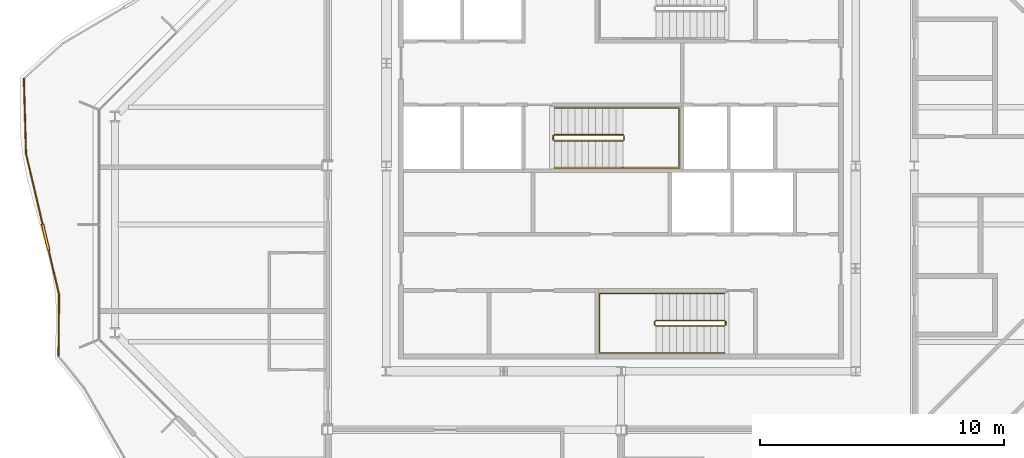
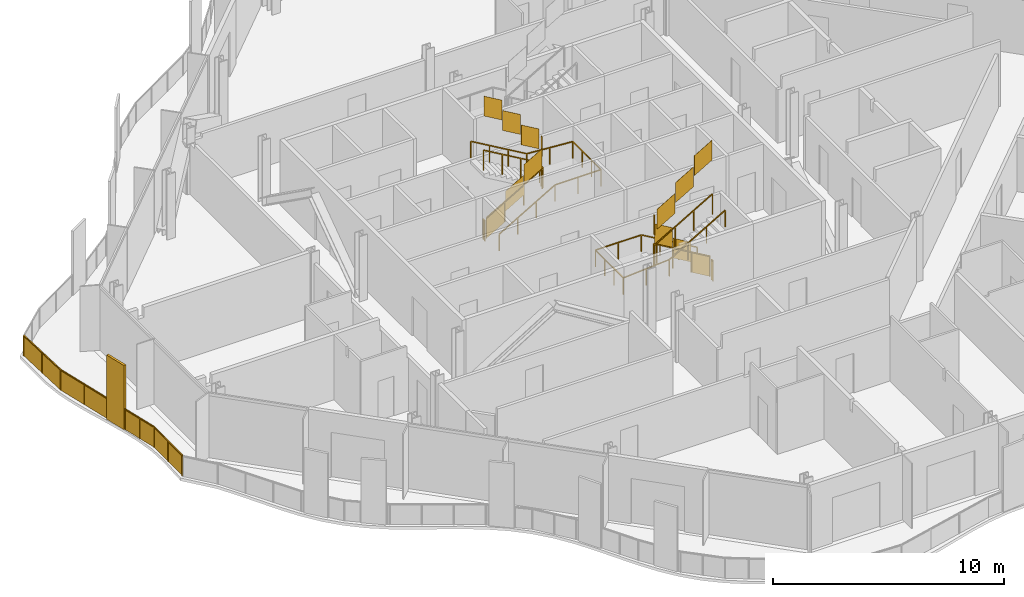
# One storey, part 14 of 17: 7 railings.
"""IFC4 building model written with IfcOpenShell, lengths in metres."""

from ifc_helpers import new_model, si_unit, direction, frame, origin, origin_2d, place, context, subcontext, project, spatial, polyline, rectangle, outline, extrude, material, type_object, element, save


model = new_model("IFC4")

# Units and contexts
model_context = context("Model", 3, precision=1e-05, world=origin(), true_north=direction((0.0, 1.0)))
body_context = subcontext(model_context, "Body", "Model", "MODEL_VIEW")
ifc_project = project(units=[si_unit("LENGTHUNIT", "METRE"), si_unit("AREAUNIT", "SQUARE_METRE"), si_unit("VOLUMEUNIT", "CUBIC_METRE"), si_unit("PLANEANGLEUNIT", "RADIAN"), si_unit("MASSUNIT", "GRAM", prefix="KILO")], contexts=[model_context])

# Site, building, storey
site_placement = place(None, origin())
site = spatial("IfcSite", under=ifc_project, at=site_placement, CompositionType="ELEMENT")
building_placement = place(site_placement, origin())
building = spatial("IfcBuilding", under=site, at=building_placement, Name="Cairn Pilgrim Tower", CompositionType="ELEMENT")
storey_placement = place(building_placement, frame((0.0, 0.0, 225.0)))
storey = spatial("IfcBuildingStorey", under=building, at=storey_placement, Name="L57", CompositionType="ELEMENT", Elevation=225.0)

# Railings
ifc_material_1 = material(Name="Bronze anodised aluminium rail, posts and fin screens with laminated glass infill", Category="aluminium")
railing_type_1 = type_object("IfcRailingType", Name="BALCONY GUARD WITH FIN SCREENS", PredefinedType="GUARDRAIL", material=ifc_material_1)
railing_1_placement = place(storey_placement, frame((-17.231201171875, 5.970703125, 0.0)))
element("IfcRailing", 1, at=railing_1_placement, inside=storey, type_object=railing_type_1, Name="Balcony guard BGF-7 with fin screens", PredefinedType="GUARDRAIL", context=body_context, shape_type="SweptSolid", body=[
    extrude(rectangle(XDim=0.050048828125, YDim=0.050048828125, at=origin_2d()), frame((0.0, 0.0, 1.0751953125), z_axis=(0.028605141821, -0.999590789204, 0.0), x_axis=(0.999590789204, 0.028605141821, 0.0)), (0.0, 0.0, 1.0), 3.072509765625),
    extrude(rectangle(XDim=1.10009765625, YDim=0.110107421875, at=origin_2d()), frame((0.88818359375, -6.484619140625, 0.0), z_axis=(0.0, 0.0, 1.0), x_axis=(0.228262189915, -0.973599698364, 0.0)), (0.0, 0.0, 1.0), 3.39990234375),
    extrude(rectangle(XDim=0.050048828125, YDim=0.050048828125, at=origin_2d()), frame((0.087890625, -3.0712890625, 1.0751953125), z_axis=(0.228262189915, -0.973599698364, 0.0), x_axis=(0.973599698364, 0.228262189915, 0.0)), (0.0, 0.0, 1.0), 2.9560546875),
    extrude(rectangle(XDim=0.050048828125, YDim=0.050048828125, at=origin_2d()), frame((1.013671875, -7.020263671875, 1.0751953125), z_axis=(0.228262189915, -0.973599698364, 0.0), x_axis=(0.973599698364, 0.228262189915, 0.0)), (0.0, 0.0, 1.0), 1.863037109375),
    extrude(rectangle(XDim=0.050048828125, YDim=0.050048828125, at=origin_2d()), frame((1.43896484375, -8.833984375, 1.0751953125), z_axis=(-0.008395595051, -0.999964756371, 0.0), x_axis=(0.999964756371, -0.008395595051, 0.0)), (0.0, 0.0, 1.0), 2.4716796875),
    extrude(rectangle(XDim=0.050048828125, YDim=0.050048828125, at=origin_2d()), origin(), (0.0, 0.0, 1.0), 1.050048828125),
    extrude(rectangle(XDim=0.050048828125, YDim=0.050048828125, at=origin_2d()), frame((0.0439453125, -1.53564453125, 0.0)), (0.0, 0.0, 1.0), 1.050048828125),
    extrude(rectangle(XDim=0.050048828125, YDim=0.050048828125, at=origin_2d()), frame((0.087890625, -3.0712890625, 0.0)), (0.0, 0.0, 1.0), 1.050048828125),
    extrude(rectangle(XDim=0.050048828125, YDim=0.050048828125, at=origin_2d()), frame((0.42236328125, -4.498046875, 0.0)), (0.0, 0.0, 1.0), 1.050048828125),
    extrude(rectangle(XDim=0.050048828125, YDim=0.050048828125, at=origin_2d()), frame((0.7568359375, -5.9248046875, 0.0)), (0.0, 0.0, 1.0), 1.050048828125),
    extrude(rectangle(XDim=0.050048828125, YDim=0.050048828125, at=origin_2d()), frame((1.01953125, -7.04443359375, 0.0)), (0.0, 0.0, 1.0), 1.050048828125),
    extrude(rectangle(XDim=0.050048828125, YDim=0.050048828125, at=origin_2d()), frame((1.229248046875, -7.939208984375, 0.0)), (0.0, 0.0, 1.0), 1.050048828125),
    extrude(rectangle(XDim=0.050048828125, YDim=0.050048828125, at=origin_2d()), frame((1.43896484375, -8.833984375, 0.0)), (0.0, 0.0, 1.0), 1.050048828125),
    extrude(rectangle(XDim=0.050048828125, YDim=0.050048828125, at=origin_2d()), frame((1.4287109375, -10.06982421875, 0.0)), (0.0, 0.0, 1.0), 1.050048828125),
    extrude(rectangle(XDim=0.050048828125, YDim=0.050048828125, at=origin_2d()), frame((1.418212890625, -11.3056640625, 0.0)), (0.0, 0.0, 1.0), 1.050048828125),
    extrude(outline(polyline([(0.02490234375, 0.0), (1.51123046875, 0.0), (1.51123046875, 1.050048828125), (0.02490234375, 1.050048828125), (0.02490234375, 0.0)])), frame((0.005859375, 0.000244140625, 0.0), z_axis=(-0.999590789204, -0.028605141821, 0.0), x_axis=(0.028605141821, -0.999590789204, 0.0)), (0.0, 0.0, 1.0), 0.011962890625),
    extrude(outline(polyline([(0.02490234375, 0.0), (1.51123046875, 0.0), (1.51123046875, 1.050048828125), (0.02490234375, 1.050048828125), (0.02490234375, 0.0)])), frame((0.0498046875, -1.535400390625, 0.0), z_axis=(-0.999590789204, -0.028605141821, 0.0), x_axis=(0.028605141821, -0.999590789204, 0.0)), (0.0, 0.0, 1.0), 0.011962890625),
    extrude(outline(polyline([(0.02490234375, 0.0), (1.4404296875, 0.0), (1.4404296875, 1.050048828125), (0.02490234375, 1.050048828125), (0.02490234375, 0.0)])), frame((0.09375, -3.06982421875, 0.0), z_axis=(-0.973599698364, -0.228262189915, 0.0), x_axis=(0.228262189915, -0.973599698364, 0.0)), (0.0, 0.0, 1.0), 0.011962890625),
    extrude(outline(polyline([(0.02490234375, 0.0), (1.4404296875, 0.0), (1.4404296875, 1.050048828125), (0.02490234375, 1.050048828125), (0.02490234375, 0.0)])), frame((0.42822265625, -4.49658203125, 0.0), z_axis=(-0.973599698364, -0.228262189915, 0.0), x_axis=(0.228262189915, -0.973599698364, 0.0)), (0.0, 0.0, 1.0), 0.011962890625),
    extrude(outline(polyline([(0.02490234375, 0.0), (0.89404296875, 0.0), (0.89404296875, 1.050048828125), (0.02490234375, 1.050048828125), (0.02490234375, 0.0)])), frame((1.025146484375, -7.043212890625, 0.0), z_axis=(-0.973599698364, -0.228262189915, 0.0), x_axis=(0.228262189915, -0.973599698364, 0.0)), (0.0, 0.0, 1.0), 0.011962890625),
    extrude(outline(polyline([(0.02490234375, 0.0), (0.89404296875, 0.0), (0.89404296875, 1.050048828125), (0.02490234375, 1.050048828125), (0.02490234375, 0.0)])), frame((1.235107421875, -7.93798828125, 0.0), z_axis=(-0.973599698364, -0.228262189915, 0.0), x_axis=(0.228262189915, -0.973599698364, 0.0)), (0.0, 0.0, 1.0), 0.011962890625),
    extrude(outline(polyline([(0.02490234375, 0.0), (1.2109375, 0.0), (1.2109375, 1.050048828125), (0.02490234375, 1.050048828125), (0.02490234375, 0.0)])), frame((1.44482421875, -8.833984375, 0.0), z_axis=(-0.999964756371, 0.008395595051, 0.0), x_axis=(-0.008395595051, -0.999964756371, 0.0)), (0.0, 0.0, 1.0), 0.011962890625),
    extrude(outline(polyline([(0.02490234375, 0.0), (1.2109375, 0.0), (1.2109375, 1.050048828125), (0.02490234375, 1.050048828125), (0.02490234375, 0.0)])), frame((1.4345703125, -10.06982421875, 0.0), z_axis=(-0.999964756371, 0.008395595051, 0.0), x_axis=(-0.008395595051, -0.999964756371, 0.0)), (0.0, 0.0, 1.0), 0.011962890625),
])
ifc_material_2 = material(Name="Painted steel", Category="steel")
railing_type_2 = type_object("IfcRailingType", Name="STAIR GUARD 1100", PredefinedType="GUARDRAIL", material=ifc_material_2)
railing_2_placement = place(storey_placement, frame((11.425048828125, -3.925048828125, 0.16357421875)))
element("IfcRailing", 2, at=railing_2_placement, inside=storey, type_object=railing_type_2, Name="L57 ST-A stair guard 1", PredefinedType="GUARDRAIL", context=body_context, shape_type="SweptSolid", body=[
    extrude(rectangle(XDim=0.048095703125, YDim=0.048095703125, at=origin_2d()), frame((0.0, 0.0, 1.076171875), z_axis=(-0.863360870873, 0.0, 0.504586966384), x_axis=(0.0, -1.0, 0.0)), (0.0, 0.0, 1.0), 3.2431640625),
    extrude(rectangle(XDim=0.048095703125, YDim=0.048095703125, at=origin_2d()), frame((-2.800048828125, 0.0, 2.71240234375), z_axis=(-0.707106781187, -0.707106781187, 0.0), x_axis=(0.707106781187, -0.707106781187, 0.0)), (0.0, 0.0, 1.0), 0.07080078125),
    extrude(rectangle(XDim=0.048095703125, YDim=0.048095703125, at=origin_2d()), frame((-2.85009765625, -0.050048828125, 2.71240234375), z_axis=(0.0, -1.0, 0.0), x_axis=(1.0, 0.0, 0.0)), (0.0, 0.0, 1.0), 0.125),
    extrude(rectangle(XDim=0.048095703125, YDim=0.048095703125, at=origin_2d()), frame((-2.85009765625, -0.175048828125, 2.71240234375), z_axis=(0.280916556609, -0.279546231943, 0.91811752648), x_axis=(0.705375805398, 0.708833529934, 0.0)), (0.0, 0.0, 1.0), 0.17822265625),
    extrude(rectangle(XDim=0.048095703125, YDim=0.048095703125, at=origin_2d()), frame((-2.800048828125, -0.224853515625, 2.8759765625), z_axis=(0.863360870873, 0.0, 0.504586966384), x_axis=(0.0, 1.0, 0.0)), (0.0, 0.0, 1.0), 3.2431640625),
    extrude(rectangle(XDim=0.0419921875, YDim=0.0419921875, at=origin_2d()), origin(), (0.0, 0.0, 1.0), 1.052001953125),
    extrude(rectangle(XDim=0.0419921875, YDim=0.0419921875, at=origin_2d()), frame((-0.933349609375, 0.0, 0.54541015625)), (0.0, 0.0, 1.0), 1.052001953125),
    extrude(rectangle(XDim=0.0419921875, YDim=0.0419921875, at=origin_2d()), frame((-1.86669921875, 0.0, 1.091064453125)), (0.0, 0.0, 1.0), 1.052001953125),
    extrude(rectangle(XDim=0.0419921875, YDim=0.0419921875, at=origin_2d()), frame((-2.800048828125, 0.0, 1.636474609375)), (0.0, 0.0, 1.0), 1.052001953125),
    extrude(rectangle(XDim=0.0419921875, YDim=0.0419921875, at=origin_2d()), frame((-2.85009765625, -0.050048828125, 1.636474609375)), (0.0, 0.0, 1.0), 1.052001953125),
    extrude(rectangle(XDim=0.0419921875, YDim=0.0419921875, at=origin_2d()), frame((-2.85009765625, -0.175048828125, 1.636474609375)), (0.0, 0.0, 1.0), 1.052001953125),
    extrude(rectangle(XDim=0.0419921875, YDim=0.0419921875, at=origin_2d()), frame((-2.800048828125, -0.224853515625, 1.800048828125)), (0.0, 0.0, 1.0), 1.052001953125),
    extrude(rectangle(XDim=0.0419921875, YDim=0.0419921875, at=origin_2d()), frame((-1.86669921875, -0.224853515625, 2.345458984375)), (0.0, 0.0, 1.0), 1.052001953125),
    extrude(rectangle(XDim=0.0419921875, YDim=0.0419921875, at=origin_2d()), frame((-0.933349609375, -0.224853515625, 2.89111328125)), (0.0, 0.0, 1.0), 1.052001953125),
    extrude(rectangle(XDim=0.0419921875, YDim=0.0419921875, at=origin_2d()), frame((0.0, -0.224853515625, 3.4365234375)), (0.0, 0.0, 1.0), 1.052001953125),
    extrude(outline(polyline([(0.02099609375, 0.01220703125), (0.912353515625, 0.533203125), (0.912353515625, 1.585205078125), (0.02099609375, 1.064208984375), (0.02099609375, 0.01220703125)])), frame((0.0, -0.005859375, 0.0), z_axis=(0.0, 1.0, 0.0), x_axis=(-1.0, 0.0, 0.0)), (0.0, 0.0, 1.0), 0.011962890625),
    extrude(outline(polyline([(0.02099609375, 0.557861328125), (0.912353515625, 1.07861328125), (0.912353515625, 2.130615234375), (0.02099609375, 1.60986328125), (0.02099609375, 0.557861328125)])), frame((-0.933349609375, -0.005859375, 0.54541015625), z_axis=(0.0, 1.0, 0.0), x_axis=(-1.0, 0.0, 0.0)), (0.0, 0.0, 1.0), 0.011962890625),
    extrude(outline(polyline([(0.02099609375, 1.103271484375), (0.912353515625, 1.624267578125), (0.912353515625, 2.67626953125), (0.02099609375, 2.1552734375), (0.02099609375, 1.103271484375)])), frame((-1.86669921875, -0.005859375, 1.091064453125), z_axis=(0.0, 1.0, 0.0), x_axis=(-1.0, 0.0, 0.0)), (0.0, 0.0, 1.0), 0.011962890625),
    extrude(outline(polyline([(0.02099609375, 1.636474609375), (0.10400390625, 1.636474609375), (0.10400390625, 2.6884765625), (0.02099609375, 2.6884765625), (0.02099609375, 1.636474609375)])), frame((-2.84423828125, -0.050048828125, 1.636474609375), z_axis=(-1.0, 0.0, 0.0), x_axis=(0.0, -1.0, 0.0)), (0.0, 0.0, 1.0), 0.011962890625),
    extrude(outline(polyline([(0.02099609375, 1.812255859375), (0.912353515625, 2.333251953125), (0.912353515625, 3.38525390625), (0.02099609375, 2.8642578125), (0.02099609375, 1.812255859375)])), frame((-2.800048828125, -0.21875, 1.800048828125), z_axis=(0.0, -1.0, 0.0), x_axis=(1.0, 0.0, 0.0)), (0.0, 0.0, 1.0), 0.011962890625),
    extrude(outline(polyline([(0.02099609375, 2.35791015625), (0.912353515625, 2.878662109375), (0.912353515625, 3.9306640625), (0.02099609375, 3.409912109375), (0.02099609375, 2.35791015625)])), frame((-1.86669921875, -0.21875, 2.345458984375), z_axis=(0.0, -1.0, 0.0), x_axis=(1.0, 0.0, 0.0)), (0.0, 0.0, 1.0), 0.011962890625),
    extrude(outline(polyline([(0.02099609375, 2.9033203125), (0.912353515625, 3.42431640625), (0.912353515625, 4.476318359375), (0.02099609375, 3.955322265625), (0.02099609375, 2.9033203125)])), frame((-0.933349609375, -0.21875, 2.89111328125), z_axis=(0.0, -1.0, 0.0), x_axis=(1.0, 0.0, 0.0)), (0.0, 0.0, 1.0), 0.011962890625),
])
railing_3_placement = place(storey_placement, frame((11.47509765625, -3.97509765625, 0.0)))
element("IfcRailing", 3, at=railing_3_placement, inside=storey, type_object=railing_type_2, Name="L57 ST-A stair guard 2", PredefinedType="GUARDRAIL", context=body_context, shape_type="SweptSolid", body=[
    extrude(rectangle(XDim=0.048095703125, YDim=0.048095703125, at=origin_2d()), frame((0.0, 0.0, 1.076171875), z_axis=(0.0, -1.0, 0.0), x_axis=(1.0, 0.0, 0.0)), (0.0, 0.0, 1.0), 0.125),
    extrude(rectangle(XDim=0.0419921875, YDim=0.0419921875, at=origin_2d()), origin(), (0.0, 0.0, 1.0), 1.052001953125),
    extrude(rectangle(XDim=0.0419921875, YDim=0.0419921875, at=origin_2d()), frame((0.0, -0.125, 0.0)), (0.0, 0.0, 1.0), 1.052001953125),
    extrude(outline(polyline([(0.02099609375, 0.0), (0.10400390625, 0.0), (0.10400390625, 1.052001953125), (0.02099609375, 1.052001953125), (0.02099609375, 0.0)])), frame((0.005859375, 0.0, 0.0), z_axis=(-1.0, 0.0, 0.0), x_axis=(0.0, -1.0, 0.0)), (0.0, 0.0, 1.0), 0.011962890625),
])
railing_4_placement = place(storey_placement, frame((4.47509765625, 3.425048828125, 0.16357421875)))
element("IfcRailing", 4, at=railing_4_placement, inside=storey, type_object=railing_type_2, Name="L57 ST-B stair guard 1", PredefinedType="GUARDRAIL", context=body_context, shape_type="SweptSolid", body=[
    extrude(rectangle(XDim=0.048095703125, YDim=0.048095703125, at=origin_2d()), frame((0.0, 0.0, 1.076171875), z_axis=(0.863341702679, 0.0, 0.504619762213), x_axis=(0.0, 1.0, 0.0)), (0.0, 0.0, 1.0), 3.242919921875),
    extrude(rectangle(XDim=0.048095703125, YDim=0.048095703125, at=origin_2d()), frame((2.7998046875, 0.0, 2.71240234375), z_axis=(0.707106781187, 0.707106781187, 0.0), x_axis=(-0.707106781187, 0.707106781187, 0.0)), (0.0, 0.0, 1.0), 0.07080078125),
    extrude(rectangle(XDim=0.048095703125, YDim=0.048095703125, at=origin_2d()), frame((2.849853515625, 0.050048828125, 2.71240234375), z_axis=(0.0, 1.0, 0.0), x_axis=(-1.0, 0.0, 0.0)), (0.0, 0.0, 1.0), 0.14990234375),
    extrude(rectangle(XDim=0.048095703125, YDim=0.048095703125, at=origin_2d()), frame((2.849853515625, 0.199951171875, 2.71240234375), z_axis=(-0.280808744504, 0.280808744504, 0.917765164963), x_axis=(-0.707106781187, -0.707106781187, 0.0)), (0.0, 0.0, 1.0), 0.17822265625),
    extrude(rectangle(XDim=0.048095703125, YDim=0.048095703125, at=origin_2d()), frame((2.7998046875, 0.25, 2.8759765625), z_axis=(-0.863341702679, 0.0, 0.504619762213), x_axis=(0.0, -1.0, 0.0)), (0.0, 0.0, 1.0), 3.242919921875),
    extrude(rectangle(XDim=0.0419921875, YDim=0.0419921875, at=origin_2d()), origin(), (0.0, 0.0, 1.0), 1.052001953125),
    extrude(rectangle(XDim=0.0419921875, YDim=0.0419921875, at=origin_2d()), frame((0.933349609375, 0.0, 0.54541015625)), (0.0, 0.0, 1.0), 1.052001953125),
    extrude(rectangle(XDim=0.0419921875, YDim=0.0419921875, at=origin_2d()), frame((1.866455078125, 0.0, 1.091064453125)), (0.0, 0.0, 1.0), 1.052001953125),
    extrude(rectangle(XDim=0.0419921875, YDim=0.0419921875, at=origin_2d()), frame((2.7998046875, 0.0, 1.636474609375)), (0.0, 0.0, 1.0), 1.052001953125),
    extrude(rectangle(XDim=0.0419921875, YDim=0.0419921875, at=origin_2d()), frame((2.849853515625, 0.050048828125, 1.636474609375)), (0.0, 0.0, 1.0), 1.052001953125),
    extrude(rectangle(XDim=0.0419921875, YDim=0.0419921875, at=origin_2d()), frame((2.849853515625, 0.199951171875, 1.636474609375)), (0.0, 0.0, 1.0), 1.052001953125),
    extrude(rectangle(XDim=0.0419921875, YDim=0.0419921875, at=origin_2d()), frame((2.7998046875, 0.25, 1.800048828125)), (0.0, 0.0, 1.0), 1.052001953125),
    extrude(rectangle(XDim=0.0419921875, YDim=0.0419921875, at=origin_2d()), frame((1.866455078125, 0.25, 2.345458984375)), (0.0, 0.0, 1.0), 1.052001953125),
    extrude(rectangle(XDim=0.0419921875, YDim=0.0419921875, at=origin_2d()), frame((0.933349609375, 0.25, 2.89111328125)), (0.0, 0.0, 1.0), 1.052001953125),
    extrude(rectangle(XDim=0.0419921875, YDim=0.0419921875, at=origin_2d()), frame((0.0, 0.25, 3.4365234375)), (0.0, 0.0, 1.0), 1.052001953125),
    extrude(outline(polyline([(0.02099609375, 0.01220703125), (0.912353515625, 0.533203125), (0.912353515625, 1.585205078125), (0.02099609375, 1.064208984375), (0.02099609375, 0.01220703125)])), frame((0.0, 0.005859375, 0.0), z_axis=(0.0, -1.0, 0.0), x_axis=(1.0, 0.0, 0.0)), (0.0, 0.0, 1.0), 0.011962890625),
    extrude(outline(polyline([(0.02099609375, 0.557861328125), (0.912353515625, 1.07861328125), (0.912353515625, 2.130615234375), (0.02099609375, 1.60986328125), (0.02099609375, 0.557861328125)])), frame((0.933349609375, 0.005859375, 0.54541015625), z_axis=(0.0, -1.0, 0.0), x_axis=(1.0, 0.0, 0.0)), (0.0, 0.0, 1.0), 0.011962890625),
    extrude(outline(polyline([(0.02099609375, 1.103271484375), (0.912353515625, 1.624267578125), (0.912353515625, 2.67626953125), (0.02099609375, 2.1552734375), (0.02099609375, 1.103271484375)])), frame((1.866455078125, 0.005859375, 1.091064453125), z_axis=(0.0, -1.0, 0.0), x_axis=(1.0, 0.0, 0.0)), (0.0, 0.0, 1.0), 0.011962890625),
    extrude(outline(polyline([(0.02099609375, 1.636474609375), (0.12890625, 1.636474609375), (0.12890625, 2.6884765625), (0.02099609375, 2.6884765625), (0.02099609375, 1.636474609375)])), frame((2.84375, 0.050048828125, 1.636474609375), z_axis=(1.0, 0.0, 0.0), x_axis=(0.0, 1.0, 0.0)), (0.0, 0.0, 1.0), 0.011962890625),
    extrude(outline(polyline([(0.02099609375, 1.812255859375), (0.912353515625, 2.333251953125), (0.912353515625, 3.38525390625), (0.02099609375, 2.8642578125), (0.02099609375, 1.812255859375)])), frame((2.7998046875, 0.244140625, 1.800048828125), z_axis=(0.0, 1.0, 0.0), x_axis=(-1.0, 0.0, 0.0)), (0.0, 0.0, 1.0), 0.011962890625),
    extrude(outline(polyline([(0.02099609375, 2.35791015625), (0.912353515625, 2.878662109375), (0.912353515625, 3.9306640625), (0.02099609375, 3.409912109375), (0.02099609375, 2.35791015625)])), frame((1.866455078125, 0.244140625, 2.345458984375), z_axis=(0.0, 1.0, 0.0), x_axis=(-1.0, 0.0, 0.0)), (0.0, 0.0, 1.0), 0.011962890625),
    extrude(outline(polyline([(0.02099609375, 2.9033203125), (0.912353515625, 3.42431640625), (0.912353515625, 4.476318359375), (0.02099609375, 3.955322265625), (0.02099609375, 2.9033203125)])), frame((0.933349609375, 0.244140625, 2.89111328125), z_axis=(0.0, 1.0, 0.0), x_axis=(-1.0, 0.0, 0.0)), (0.0, 0.0, 1.0), 0.011962890625),
])
railing_5_placement = place(storey_placement, frame((4.425048828125, 3.47509765625, 0.0)))
element("IfcRailing", 5, at=railing_5_placement, inside=storey, type_object=railing_type_2, Name="L57 ST-B stair guard 2", PredefinedType="GUARDRAIL", context=body_context, shape_type="SweptSolid", body=[
    extrude(rectangle(XDim=0.048095703125, YDim=0.048095703125, at=origin_2d()), frame((0.0, 0.0, 1.076171875), z_axis=(0.0, 1.0, 0.0), x_axis=(-1.0, 0.0, 0.0)), (0.0, 0.0, 1.0), 0.14990234375),
    extrude(rectangle(XDim=0.0419921875, YDim=0.0419921875, at=origin_2d()), origin(), (0.0, 0.0, 1.0), 1.052001953125),
    extrude(rectangle(XDim=0.0419921875, YDim=0.0419921875, at=origin_2d()), frame((0.0, 0.14990234375, 0.0)), (0.0, 0.0, 1.0), 1.052001953125),
    extrude(outline(polyline([(0.02099609375, 0.0), (0.12890625, 0.0), (0.12890625, 1.052001953125), (0.02099609375, 1.052001953125), (0.02099609375, 0.0)])), frame((-0.005859375, 0.0, 0.0), z_axis=(1.0, 0.0, 0.0), x_axis=(0.0, 1.0, 0.0)), (0.0, 0.0, 1.0), 0.011962890625),
])
railing_type_3 = type_object("IfcRailingType", Name="STAIR HANDRAIL 900", PredefinedType="HANDRAIL", material=ifc_material_2)
railing_6_placement = place(storey_placement, frame((11.425048828125, -2.824951171875, 0.16357421875)))
element("IfcRailing", 6, at=railing_6_placement, inside=storey, type_object=railing_type_3, Name="L57 ST-A stair handrail 1", PredefinedType="HANDRAIL", context=body_context, shape_type="SweptSolid", body=[
    extrude(rectangle(XDim=0.048095703125, YDim=0.048095703125, at=origin_2d()), frame((0.0, 0.0, 0.8759765625), z_axis=(-0.863360870873, 0.0, 0.504586966384), x_axis=(0.0, -1.0, 0.0)), (0.0, 0.0, 1.0), 3.2431640625),
    extrude(rectangle(XDim=0.048095703125, YDim=0.048095703125, at=origin_2d()), frame((-2.800048828125, 0.0, 2.51220703125), z_axis=(-1.0, 0.0, 0.0), x_axis=(0.0, -1.0, 0.0)), (0.0, 0.0, 1.0), 2.300048828125),
    extrude(rectangle(XDim=0.048095703125, YDim=0.048095703125, at=origin_2d()), frame((-5.10009765625, 0.0, 2.51220703125), z_axis=(0.0, -1.0, 0.0), x_axis=(1.0, 0.0, 0.0)), (0.0, 0.0, 1.0), 2.425048828125),
    extrude(rectangle(XDim=0.048095703125, YDim=0.048095703125, at=origin_2d()), frame((-5.10009765625, -2.425048828125, 2.51220703125), z_axis=(0.997480687736, 0.0, 0.070938548008), x_axis=(0.0, 1.0, 0.0)), (0.0, 0.0, 1.0), 2.305908203125),
    extrude(rectangle(XDim=0.048095703125, YDim=0.048095703125, at=origin_2d()), frame((-2.800048828125, -2.425048828125, 2.67578125), z_axis=(0.863360870873, 0.0, 0.504586966384), x_axis=(0.0, 1.0, 0.0)), (0.0, 0.0, 1.0), 3.2431640625),
    extrude(rectangle(XDim=0.0419921875, YDim=0.0419921875, at=origin_2d()), origin(), (0.0, 0.0, 1.0), 0.851806640625),
    extrude(rectangle(XDim=0.0419921875, YDim=0.0419921875, at=origin_2d()), frame((-0.933349609375, 0.0, 0.54541015625)), (0.0, 0.0, 1.0), 0.851806640625),
    extrude(rectangle(XDim=0.0419921875, YDim=0.0419921875, at=origin_2d()), frame((-1.86669921875, 0.0, 1.091064453125)), (0.0, 0.0, 1.0), 0.851806640625),
    extrude(rectangle(XDim=0.0419921875, YDim=0.0419921875, at=origin_2d()), frame((-2.800048828125, 0.0, 1.636474609375)), (0.0, 0.0, 1.0), 0.851806640625),
    extrude(rectangle(XDim=0.0419921875, YDim=0.0419921875, at=origin_2d()), frame((-3.9501953125, 0.0, 1.636474609375)), (0.0, 0.0, 1.0), 0.851806640625),
    extrude(rectangle(XDim=0.0419921875, YDim=0.0419921875, at=origin_2d()), frame((-5.10009765625, 0.0, 1.636474609375)), (0.0, 0.0, 1.0), 0.851806640625),
    extrude(rectangle(XDim=0.0419921875, YDim=0.0419921875, at=origin_2d()), frame((-5.10009765625, -0.808349609375, 1.636474609375)), (0.0, 0.0, 1.0), 0.851806640625),
    extrude(rectangle(XDim=0.0419921875, YDim=0.0419921875, at=origin_2d()), frame((-5.10009765625, -1.61669921875, 1.636474609375)), (0.0, 0.0, 1.0), 0.851806640625),
    extrude(rectangle(XDim=0.0419921875, YDim=0.0419921875, at=origin_2d()), frame((-5.10009765625, -2.425048828125, 1.636474609375)), (0.0, 0.0, 1.0), 0.851806640625),
    extrude(rectangle(XDim=0.0419921875, YDim=0.0419921875, at=origin_2d()), frame((-3.9501953125, -2.425048828125, 1.71826171875)), (0.0, 0.0, 1.0), 0.851806640625),
    extrude(rectangle(XDim=0.0419921875, YDim=0.0419921875, at=origin_2d()), frame((-2.800048828125, -2.425048828125, 1.800048828125)), (0.0, 0.0, 1.0), 0.851806640625),
    extrude(rectangle(XDim=0.0419921875, YDim=0.0419921875, at=origin_2d()), frame((-1.86669921875, -2.425048828125, 2.345458984375)), (0.0, 0.0, 1.0), 0.851806640625),
    extrude(rectangle(XDim=0.0419921875, YDim=0.0419921875, at=origin_2d()), frame((-0.933349609375, -2.425048828125, 2.89111328125)), (0.0, 0.0, 1.0), 0.851806640625),
    extrude(rectangle(XDim=0.0419921875, YDim=0.0419921875, at=origin_2d()), frame((0.0, -2.425048828125, 3.4365234375)), (0.0, 0.0, 1.0), 0.851806640625),
])
railing_7_placement = place(storey_placement, frame((4.47509765625, 2.324951171875, 0.16357421875)))
element("IfcRailing", 7, at=railing_7_placement, inside=storey, type_object=railing_type_3, Name="L57 ST-B stair handrail 1", PredefinedType="HANDRAIL", context=body_context, shape_type="SweptSolid", body=[
    extrude(rectangle(XDim=0.048095703125, YDim=0.048095703125, at=origin_2d()), frame((0.0, 0.0, 0.8759765625), z_axis=(0.863341702679, 0.0, 0.504619762213), x_axis=(0.0, 1.0, 0.0)), (0.0, 0.0, 1.0), 3.242919921875),
    extrude(rectangle(XDim=0.048095703125, YDim=0.048095703125, at=origin_2d()), frame((2.7998046875, 0.0, 2.51220703125), z_axis=(1.0, 0.0, 0.0), x_axis=(0.0, 1.0, 0.0)), (0.0, 0.0, 1.0), 2.300048828125),
    extrude(rectangle(XDim=0.048095703125, YDim=0.048095703125, at=origin_2d()), frame((5.099853515625, 0.0, 2.51220703125), z_axis=(0.0, 1.0, 0.0), x_axis=(-1.0, 0.0, 0.0)), (0.0, 0.0, 1.0), 2.449951171875),
    extrude(rectangle(XDim=0.048095703125, YDim=0.048095703125, at=origin_2d()), frame((5.099853515625, 2.449951171875, 2.51220703125), z_axis=(-0.997480687736, 0.0, 0.070938548008), x_axis=(0.0, -1.0, 0.0)), (0.0, 0.0, 1.0), 2.305908203125),
    extrude(rectangle(XDim=0.048095703125, YDim=0.048095703125, at=origin_2d()), frame((2.7998046875, 2.449951171875, 2.67578125), z_axis=(-0.863341702679, 0.0, 0.504619762213), x_axis=(0.0, -1.0, 0.0)), (0.0, 0.0, 1.0), 3.242919921875),
    extrude(rectangle(XDim=0.0419921875, YDim=0.0419921875, at=origin_2d()), origin(), (0.0, 0.0, 1.0), 0.851806640625),
    extrude(rectangle(XDim=0.0419921875, YDim=0.0419921875, at=origin_2d()), frame((0.933349609375, 0.0, 0.54541015625)), (0.0, 0.0, 1.0), 0.851806640625),
    extrude(rectangle(XDim=0.0419921875, YDim=0.0419921875, at=origin_2d()), frame((1.866455078125, 0.0, 1.091064453125)), (0.0, 0.0, 1.0), 0.851806640625),
    extrude(rectangle(XDim=0.0419921875, YDim=0.0419921875, at=origin_2d()), frame((2.7998046875, 0.0, 1.636474609375)), (0.0, 0.0, 1.0), 0.851806640625),
    extrude(rectangle(XDim=0.0419921875, YDim=0.0419921875, at=origin_2d()), frame((3.94970703125, 0.0, 1.636474609375)), (0.0, 0.0, 1.0), 0.851806640625),
    extrude(rectangle(XDim=0.0419921875, YDim=0.0419921875, at=origin_2d()), frame((5.099853515625, 0.0, 1.636474609375)), (0.0, 0.0, 1.0), 0.851806640625),
    extrude(rectangle(XDim=0.0419921875, YDim=0.0419921875, at=origin_2d()), frame((5.099853515625, 0.816650390625, 1.636474609375)), (0.0, 0.0, 1.0), 0.851806640625),
    extrude(rectangle(XDim=0.0419921875, YDim=0.0419921875, at=origin_2d()), frame((5.099853515625, 1.63330078125, 1.636474609375)), (0.0, 0.0, 1.0), 0.851806640625),
    extrude(rectangle(XDim=0.0419921875, YDim=0.0419921875, at=origin_2d()), frame((5.099853515625, 2.449951171875, 1.636474609375)), (0.0, 0.0, 1.0), 0.851806640625),
    extrude(rectangle(XDim=0.0419921875, YDim=0.0419921875, at=origin_2d()), frame((3.94970703125, 2.449951171875, 1.71826171875)), (0.0, 0.0, 1.0), 0.851806640625),
    extrude(rectangle(XDim=0.0419921875, YDim=0.0419921875, at=origin_2d()), frame((2.7998046875, 2.449951171875, 1.800048828125)), (0.0, 0.0, 1.0), 0.851806640625),
    extrude(rectangle(XDim=0.0419921875, YDim=0.0419921875, at=origin_2d()), frame((1.866455078125, 2.449951171875, 2.345458984375)), (0.0, 0.0, 1.0), 0.851806640625),
    extrude(rectangle(XDim=0.0419921875, YDim=0.0419921875, at=origin_2d()), frame((0.933349609375, 2.449951171875, 2.89111328125)), (0.0, 0.0, 1.0), 0.851806640625),
    extrude(rectangle(XDim=0.0419921875, YDim=0.0419921875, at=origin_2d()), frame((0.0, 2.449951171875, 3.4365234375)), (0.0, 0.0, 1.0), 0.851806640625),
])

save(model, "model.ifc")
